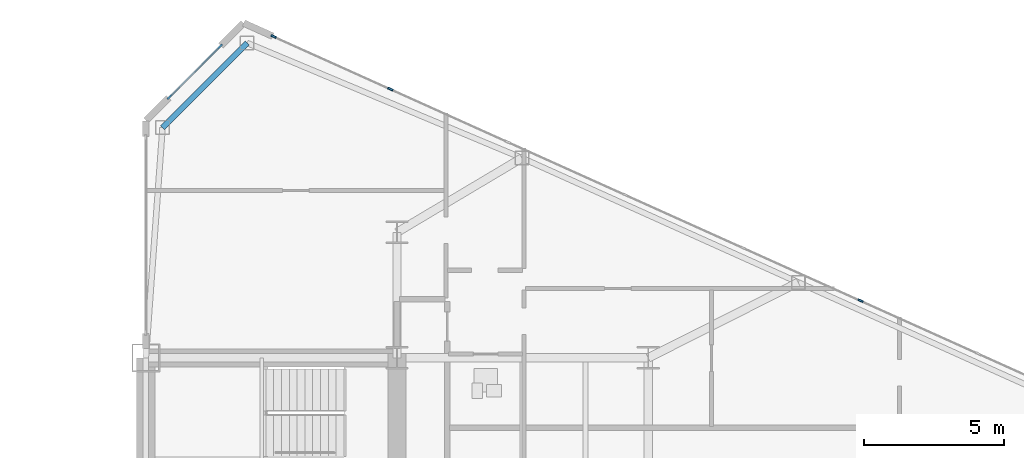
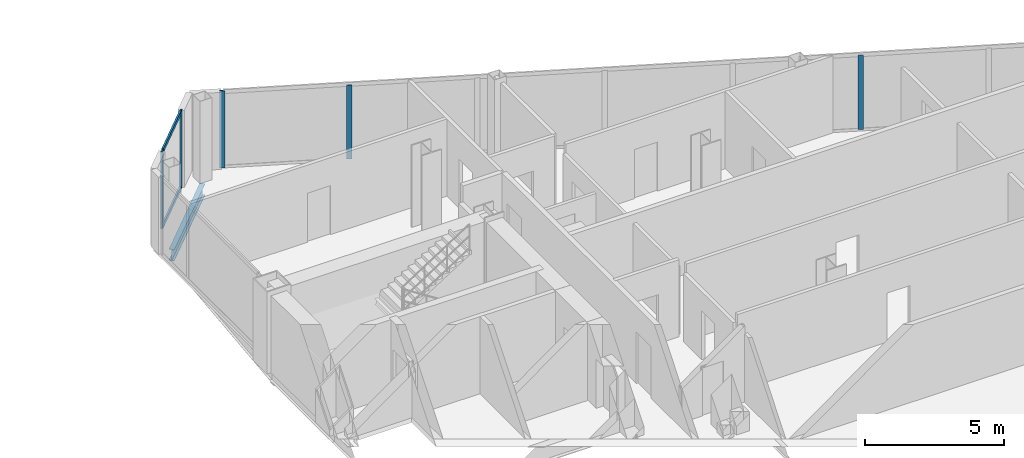
# One storey, part 15 of 27: 7 members, 1 beam, 2 elements without a shape of their own.
"""IFC4 building model written with IfcOpenShell, lengths in metres."""

from ifc_helpers import new_model, si_unit, direction, frame, origin, origin_2d, place, context, subcontext, project, spatial, rectangle, i_section, extrude, source, transform, mapped, material, layer, layer_set, material_profile, profile_set, type_object, type_shapes, element, aggregate, save


model = new_model("IFC4")

# Units and contexts
model_context = context("Model", 3, precision=1e-05, world=origin(), true_north=direction((0.0, 1.0)))
body_context = subcontext(model_context, "Body", "Model", "MODEL_VIEW")
ifc_project = project(units=[si_unit("LENGTHUNIT", "METRE"), si_unit("AREAUNIT", "SQUARE_METRE"), si_unit("VOLUMEUNIT", "CUBIC_METRE"), si_unit("PLANEANGLEUNIT", "RADIAN"), si_unit("MASSUNIT", "GRAM", prefix="KILO")], contexts=[model_context])

# Site, building, storey
site_placement = place(None, origin())
site = spatial("IfcSite", under=ifc_project, at=site_placement, CompositionType="ELEMENT")
building_placement = place(site_placement, origin())
building = spatial("IfcBuilding", under=site, at=building_placement, Name="Seokmaru Belvedere", CompositionType="ELEMENT")
storey_placement = place(building_placement, frame((0.0, 0.0, 80.10009765625)))
storey = spatial("IfcBuildingStorey", under=building, at=storey_placement, Name="L21", CompositionType="ELEMENT", Elevation=80.10009765625)

# Beam
ifc_material_1 = material(Name="Steel SM355 (355 MPa)", Category="steel")
ifc_material_profile_1 = material_profile(ifc_material_1, i_section(OverallWidth=0.199951171875, OverallDepth=0.5, WebThickness=0.010009765625, FlangeThickness=0.01611328125, at=origin_2d()), Name="H-500x200x10x16")
ifc_profile_set_1 = profile_set([ifc_material_profile_1], Name="Steel SM355 (355 MPa)")
beam_type = type_object("IfcBeamType", Name="Perimeter Spandrel Beam H-500", PredefinedType="SPANDREL", material=ifc_profile_set_1)
shared_shape_1 = source(origin(), body_context, "Body", "SweptSolid", [
    extrude(i_section(OverallWidth=0.199951171875, OverallDepth=0.5, WebThickness=0.010009765625, FlangeThickness=0.01611328125, at=origin_2d()), origin(), (0.0, 0.0, 1.0), 4.287109375),
])
type_shapes(beam_type, [shared_shape_1])
beam_placement = place(storey_placement, frame((31.13134765625, 24.782958984375, -0.47021484375), z_axis=(-0.707078306132, -0.707135255094, 0.0), x_axis=(0.707135255094, -0.707078306132, 0.0)))
element("IfcBeam", 1, at=beam_placement, inside=storey, type_object=beam_type, Name="L21 E Shoulder Chamfer Spandrel N", PredefinedType="SPANDREL", context=body_context, shape_type="MappedRepresentation", body=[
    mapped(shared_shape_1, transform((0.0, 0.0, 0.0), scale=1.0)),
])

# Curtain wall, member
ifc_material_2 = material(Name="Bronze Triple Insulating Glass", Category="glass")
ifc_layer = layer(ifc_material_2, 0.195068359375)
ifc_layer_set = layer_set([ifc_layer], Name="Bronze Triple Insulating Glass")
curtain_wall_type = type_object("IfcCurtainWallType", Name="Lower-Mid Tapered Curtain Wall System CW-3", PredefinedType="NOTDEFINED", material=ifc_layer_set)
curtain_wall_1_placement = place(storey_placement, origin())
curtain_wall_1 = element("IfcCurtainWall", 2, at=curtain_wall_1_placement, inside=storey, type_object=curtain_wall_type, Name="L21 Curtain Wall EF3", PredefinedType="NOTDEFINED")
ifc_material_3 = material(Name="Anodised Bronze Aluminium", Category="aluminium")
ifc_material_profile_2 = material_profile(ifc_material_3, rectangle(XDim=0.070068359375, YDim=0.195068359375, at=origin_2d()), Name="CW-M-70x195")
ifc_profile_set_2 = profile_set([ifc_material_profile_2], Name="Anodised Bronze Aluminium")
member_type_1 = type_object("IfcMemberType", Name="Bronze Unitised Mullion 70x195", PredefinedType="MULLION", material=ifc_profile_set_2)
shared_shape_2 = source(origin(), body_context, "Body", "SweptSolid", [
    extrude(rectangle(XDim=0.070068359375, YDim=0.195068359375, at=origin_2d()), origin(), (0.0, 0.0, 1.0), 3.3798828125),
])
member_1_placement = place(storey_placement, frame((32.08056640625, 25.013671875, 0.0), z_axis=(0.0, 0.0, 1.0), x_axis=(-0.41036554765, -0.91192111353, 0.0)))
member_1 = element("IfcMember", 3, at=member_1_placement, type_object=member_type_1, Name="CW:L21:EF3 Mullion 10", PredefinedType="MULLION", context=body_context, shape_type="MappedRepresentation", body=[
    mapped(shared_shape_2, transform((0.0, 0.0, 0.0), scale=1.0)),
])

# Curtain wall, members
curtain_wall_2_placement = place(storey_placement, origin())
curtain_wall_2 = element("IfcCurtainWall", 4, at=curtain_wall_2_placement, inside=storey, type_object=curtain_wall_type, Name="L21 Curtain Wall EF4", PredefinedType="NOTDEFINED")
member_2_placement = place(storey_placement, frame((30.162109375, 24.662109375, 0.0), z_axis=(0.0, 0.0, 1.0), x_axis=(0.707106781187, -0.707106781187, 0.0)))
member_2 = element("IfcMember", 5, at=member_2_placement, type_object=member_type_1, Name="CW:L21:EF4 Mullion 1", PredefinedType="MULLION", context=body_context, shape_type="MappedRepresentation", body=[
    mapped(shared_shape_2, transform((0.0, 0.0, 0.0), scale=1.0)),
])
member_3_placement = place(storey_placement, frame((28.337890625, 22.837890625, 0.0), z_axis=(0.0, 0.0, 1.0), x_axis=(0.707106781187, -0.707106781187, 0.0)))
member_3 = element("IfcMember", 6, at=member_3_placement, type_object=member_type_1, Name="CW:L21:EF4 Mullion 2", PredefinedType="MULLION", context=body_context, shape_type="MappedRepresentation", body=[
    mapped(shared_shape_2, transform((0.0, 0.0, 0.0), scale=1.0)),
])
ifc_material_profile_3 = material_profile(ifc_material_3, rectangle(XDim=0.070068359375, YDim=0.1650390625, at=origin_2d()), Name="CW-T-70x165")
ifc_profile_set_3 = profile_set([ifc_material_profile_3], Name="Anodised Bronze Aluminium")
member_type_2 = type_object("IfcMemberType", Name="Bronze Unitised Transom 70x165", PredefinedType="USERDEFINED", material=ifc_profile_set_3)
shared_shape_3 = source(origin(), body_context, "Body", "SweptSolid", [
    extrude(rectangle(XDim=0.070068359375, YDim=0.1650390625, at=origin_2d()), origin(), (0.0, 0.0, 1.0), 2.509521484375),
])
type_shapes(member_type_2, [shared_shape_3])
member_4_placement = place(storey_placement, frame((30.13720703125, 24.63720703125, 0.034912109375), z_axis=(-0.707106781187, -0.707106781187, 0.0), x_axis=(0.707106781187, -0.707106781187, 0.0)))
member_4 = element("IfcMember", 7, at=member_4_placement, type_object=member_type_2, Name="CW:L21:EF4 Continuous Transom 1", ObjectType="TRANSOM", PredefinedType="USERDEFINED", context=body_context, shape_type="MappedRepresentation", body=[
    mapped(shared_shape_3, transform((0.0, 0.0, 0.0), scale=1.0)),
])
member_5_placement = place(storey_placement, frame((30.13720703125, 24.63720703125, 3.344970703125), z_axis=(-0.707106781187, -0.707106781187, 0.0), x_axis=(0.707106781187, -0.707106781187, 0.0)))
member_5 = element("IfcMember", 8, at=member_5_placement, type_object=member_type_2, Name="CW:L21:EF4 Continuous Transom 2", ObjectType="TRANSOM", PredefinedType="USERDEFINED", context=body_context, shape_type="MappedRepresentation", body=[
    mapped(shared_shape_3, transform((0.0, 0.0, 0.0), scale=1.0)),
])
aggregate(curtain_wall_2, [member_2, member_3, member_4, member_5])

# Member
shared_shape_4 = source(origin(), body_context, "Body", "SweptSolid", [
    extrude(rectangle(XDim=0.070068359375, YDim=0.195068359375, at=origin_2d()), origin(), (0.0, 0.0, 1.0), 3.239990234375),
])
type_shapes(member_type_1, [shared_shape_2, shared_shape_4])
member_6_placement = place(storey_placement, frame((53.105712890625, 15.552490234375, 0.06982421875), z_axis=(0.0, 0.0, 1.0), x_axis=(-0.41036554765, -0.91192111353, 0.0)))
member_6 = element("IfcMember", 9, at=member_6_placement, type_object=member_type_1, Name="CW:L21:EF3 Mullion 5", PredefinedType="MULLION", context=body_context, shape_type="MappedRepresentation", body=[
    mapped(shared_shape_4, transform((0.0, 0.0, 0.0), scale=1.0)),
])

member_7_placement = place(storey_placement, frame((36.260009765625, 23.133056640625, 0.06982421875), z_axis=(0.0, 0.0, 1.0), x_axis=(-0.41036554765, -0.91192111353, 0.0)))
member_7 = element("IfcMember", 10, at=member_7_placement, type_object=member_type_1, Name="CW:L21:EF3 Mullion 9", PredefinedType="MULLION", context=body_context, shape_type="MappedRepresentation", body=[
    mapped(shared_shape_4, transform((0.0, 0.0, 0.0), scale=1.0)),
])

aggregate(curtain_wall_1, [member_6, member_7, member_1])

save(model, "model.ifc")
